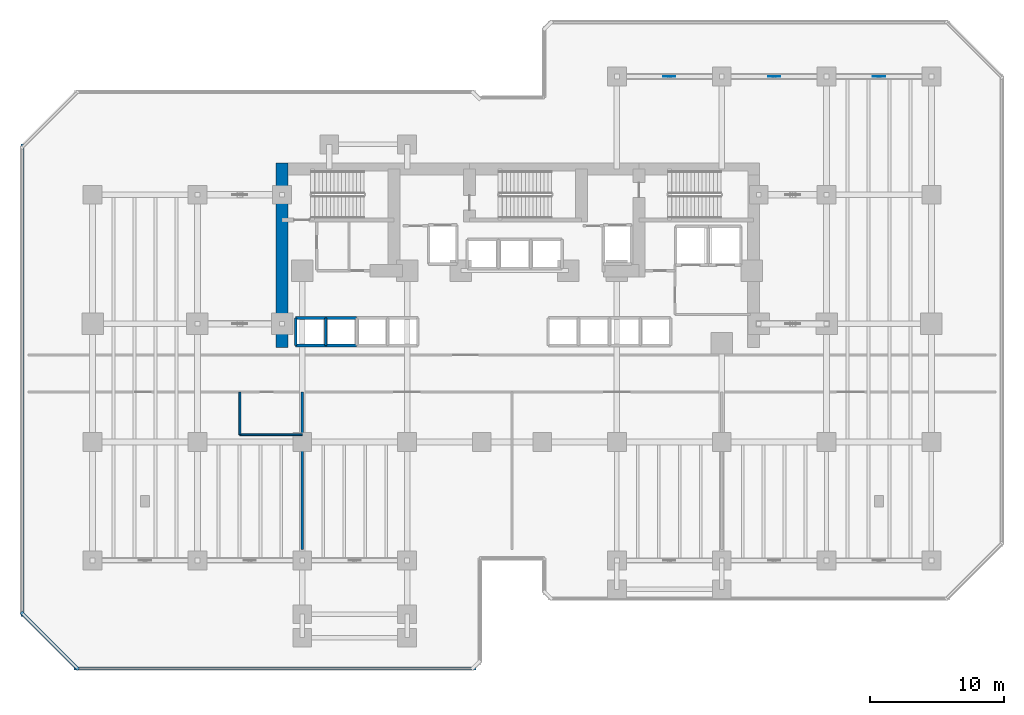
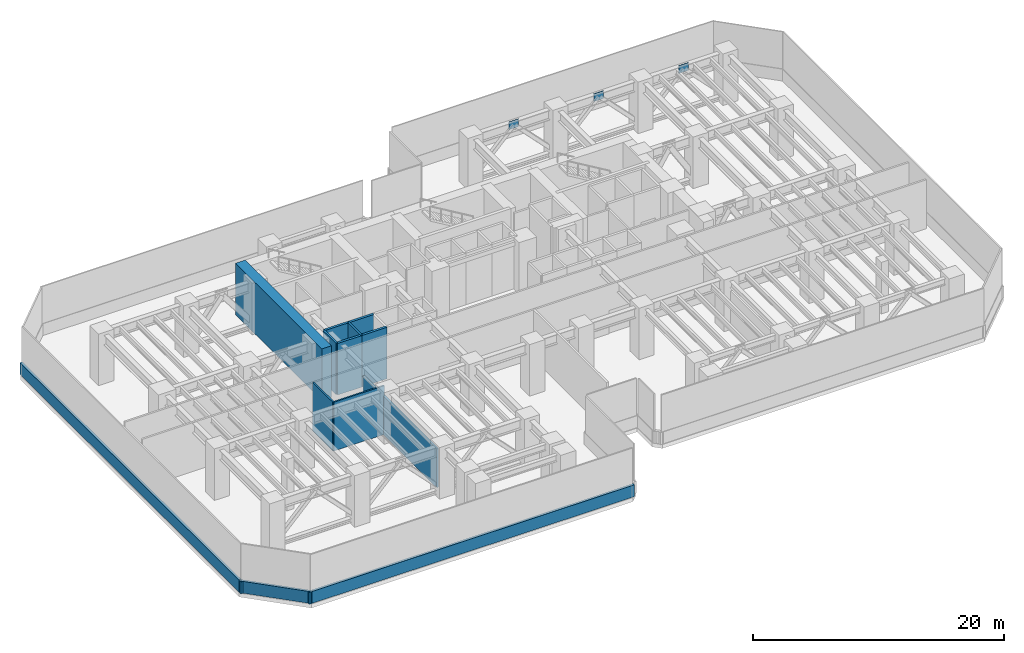
# One storey, part 5 of 13: 13 walls, 3 plates.
"""IFC4 building model written with IfcOpenShell, lengths in metres."""

from ifc_helpers import new_model, si_unit, direction, frame, frame_2d, origin, origin_2d, place, context, subcontext, project, spatial, rectangle, extrude, material, layer, layer_set, type_object, element, save


model = new_model("IFC4")

# Units and contexts
model_context = context("Model", 3, precision=1e-05, world=origin(), true_north=direction((0.0, 1.0)))
body_context = subcontext(model_context, "Body", "Model", "MODEL_VIEW")
ifc_project = project(units=[si_unit("LENGTHUNIT", "METRE"), si_unit("AREAUNIT", "SQUARE_METRE"), si_unit("VOLUMEUNIT", "CUBIC_METRE"), si_unit("PLANEANGLEUNIT", "RADIAN"), si_unit("MASSUNIT", "GRAM", prefix="KILO")], contexts=[model_context])

# Site, building, storey
site_placement = place(None, origin())
site = spatial("IfcSite", under=ifc_project, at=site_placement, CompositionType="ELEMENT")
building_placement = place(site_placement, origin())
building = spatial("IfcBuilding", under=site, at=building_placement, Name="Kestravale Grand Hotel", CompositionType="ELEMENT")
storey_placement = place(building_placement, frame((0.0, 0.0, 75.39990234375)))
storey = spatial("IfcBuildingStorey", under=building, at=storey_placement, Name="L18", CompositionType="ELEMENT", Elevation=75.39990234375)

# Plates
ifc_material_1 = material(Name="Steel ASTM A572 Grade 50", Category="steel")
ifc_layer_1 = layer(ifc_material_1, 0.044921875)
ifc_layer_set_1 = layer_set([ifc_layer_1], Name="PL-GUS-45")
plate_type = type_object("IfcPlateType", Name="PL-GUS-45", PredefinedType="USERDEFINED", material=ifc_layer_set_1)
for number, where, z_axis, x_axis, name in (
    (1, (50.699951171875, 47.199951171875, 3.985107421875), (0.0, 0.0, 1.0), (1.0, 0.0, 0.0), "L18 belt truss gusset G:8-9"),
    (2, (58.5, 47.199951171875, 3.985107421875), (0.0, 0.0, 1.0), (1.0, 0.0, 0.0), "L18 belt truss gusset G:9-10"),
    (3, (66.300048828125, 47.199951171875, 3.985107421875), (0.0, 0.0, 1.0), (1.0, 0.0, 0.0), "L18 belt truss gusset G:10-11"),
):
    element("IfcPlate", number, at=place(storey_placement, frame(where, z_axis=z_axis, x_axis=x_axis)), inside=storey, type_object=plate_type, Name=name, ObjectType="GUSSET PLATE", PredefinedType="USERDEFINED", context=body_context, shape_type="SweptSolid", body=[
        extrude(rectangle(XDim=0.89990234375, YDim=0.044921875, at=origin_2d()), origin(), (0.0, 0.0, 1.0), 0.75),
    ])

# Walls
ifc_material_2 = material(Name="Concrete f'c 70 MPa", Category="concrete")
ifc_layer_2 = layer(ifc_material_2, 0.89990234375)
ifc_layer_set_2 = layer_set([ifc_layer_2], Name="EW-CORE-900")
wall_type_1 = type_object("IfcWallType", Name="EW-CORE-900", PredefinedType="SHEAR", material=ifc_layer_set_2)
wall_1_placement = place(storey_placement, frame((21.89990234375, 27.050048828125, 0.0), z_axis=(0.0, 0.0, 1.0), x_axis=(0.0, 1.0, 0.0)))
element("IfcWall", 4, at=wall_1_placement, inside=storey, type_object=wall_type_1, Name="L18 core shear wall W1", PredefinedType="SHEAR", context=body_context, shape_type="SweptSolid", body=[
    extrude(rectangle(XDim=13.719970703125, YDim=0.89990234375, at=frame_2d((6.85986328125, 0.0))), origin(), (0.0, 0.0, 1.0), 5.0),
])
ifc_material_3 = material(Name="Precast concrete f'c 45 MPa", Category="concrete")
ifc_layer_3 = layer(ifc_material_3, 0.219970703125)
ifc_layer_set_3 = layer_set([ifc_layer_3], Name="EW-PAR-220")
wall_type_2 = type_object("IfcWallType", Name="EW-PAR-220", PredefinedType="PARAPET", material=ifc_layer_set_3)
wall_2_placement = place(storey_placement, frame((6.429931640625, 3.169921875, 0.0), z_axis=(0.0, 0.0, 1.0), x_axis=(1.0, 0.0, 0.0)))
element("IfcWall", 5, at=wall_2_placement, inside=storey, type_object=wall_type_2, Name="L18 refuge band parapet wall 1", PredefinedType="PARAPET", context=body_context, shape_type="SweptSolid", body=[
    extrude(rectangle(XDim=29.89013671875, YDim=0.219970703125, at=frame_2d((14.945068359375, 0.0))), origin(), (0.0, 0.0, 1.0), 1.150146484375),
])
wall_3_placement = place(storey_placement, frame((2.570068359375, 42.169921875, 0.0), z_axis=(0.0, 0.0, 1.0), x_axis=(0.0, -1.0, 0.0)))
element("IfcWall", 6, at=wall_3_placement, inside=storey, type_object=wall_type_2, Name="L18 refuge band parapet wall 19", PredefinedType="PARAPET", context=body_context, shape_type="SweptSolid", body=[
    extrude(rectangle(XDim=35.139892578125, YDim=0.219970703125, at=frame_2d((17.56982421875, 0.0))), origin(), (0.0, 0.0, 1.0), 1.150146484375),
])
wall_4_placement = place(storey_placement, frame((2.491943359375, 7.348388671875, 0.0), z_axis=(0.0, 0.0, 1.0), x_axis=(0.707106781187, -0.707106781187, 0.0)))
element("IfcWall", 7, at=wall_4_placement, inside=storey, type_object=wall_type_2, Name="L18 refuge band parapet wall 20", PredefinedType="PARAPET", context=body_context, shape_type="SweptSolid", body=[
    extrude(rectangle(XDim=6.019775390625, YDim=0.219970703125, at=frame_2d((3.009765625, 0.0))), origin(), (0.0, 0.0, 1.0), 1.150146484375),
])
ifc_material_4 = material(Name="Fire-rated gypsum board on steel studs with mineral wool", Category="steel")
ifc_layer_4 = layer(ifc_material_4, 0.179931640625)
ifc_layer_set_4 = layer_set([ifc_layer_4], Name="IW-FSAE-180")
wall_type_3 = type_object("IfcWallType", Name="IW-FSAE-180", PredefinedType="PARTITIONING", material=ifc_layer_set_4)
wall_5_placement = place(storey_placement, frame((23.39990234375, 12.0, 0.0), z_axis=(0.0, 0.0, 1.0), x_axis=(0.0, 1.0, 0.0)))
element("IfcWall", 8, at=wall_5_placement, inside=storey, type_object=wall_type_3, Name="W-L18-SP-1", PredefinedType="PARTITIONING", context=body_context, shape_type="SweptSolid", body=[
    extrude(rectangle(XDim=11.719970703125, YDim=0.179931640625, at=frame_2d((5.85986328125, 0.0))), origin(), (0.0, 0.0, 1.0), 3.76318359375),
])
ifc_material_5 = material(Name="Moisture-resistant tile-backer plumbing chase wall", Category="other")
ifc_layer_5 = layer(ifc_material_5, 0.139892578125)
ifc_layer_set_5 = layer_set([ifc_layer_5], Name="IW-PLB-140")
wall_type_4 = type_object("IfcWallType", Name="IW-PLB-140", PredefinedType="PLUMBINGWALL", material=ifc_layer_set_5)
wall_6_placement = place(storey_placement, frame((18.760009765625, 20.550048828125, 0.0), z_axis=(0.0, 0.0, 1.0), x_axis=(0.0, 1.0, 0.0)))
element("IfcWall", 9, at=wall_6_placement, inside=storey, type_object=wall_type_4, Name="W-L18-RWC-W", PredefinedType="PLUMBINGWALL", context=body_context, shape_type="SweptSolid", body=[
    extrude(rectangle(XDim=3.169921875, YDim=0.139892578125, at=frame_2d((1.5849609375, 0.0))), origin(), (0.0, 0.0, 1.0), 4.739990234375),
])
wall_7_placement = place(storey_placement, frame((18.760009765625, 20.550048828125, 0.0), z_axis=(0.0, 0.0, 1.0), x_axis=(1.0, 0.0, 0.0)))
element("IfcWall", 10, at=wall_7_placement, inside=storey, type_object=wall_type_4, Name="W-L18-RWC-S", PredefinedType="PLUMBINGWALL", context=body_context, shape_type="SweptSolid", body=[
    extrude(rectangle(XDim=4.639892578125, YDim=0.139892578125, at=frame_2d((2.31982421875, 0.0))), origin(), (0.0, 0.0, 1.0), 4.739990234375),
])
ifc_material_6 = material(Name="Concrete f'c 45 MPa", Category="concrete")
ifc_layer_6 = layer(ifc_material_6, 0.199951171875)
ifc_layer_set_6 = layer_set([ifc_layer_6], Name="IW-SHAFT-200")
wall_type_5 = type_object("IfcWallType", Name="IW-SHAFT-200", PredefinedType="SHEAR", material=ifc_layer_set_6)
for number, where, z_axis, x_axis, name in (
    (11, (22.905029296875, 27.169921875, 0.0), (0.0, 0.0, 1.0), (0.0, 1.0, 0.0), "L18 PL-L1 west shaft wall"),
    (12, (25.14990234375, 27.169921875, 0.0), (0.0, 0.0, 1.0), (0.0, 1.0, 0.0), "L18 PL-L2 west shaft wall"),
):
    element("IfcWall", number, at=place(storey_placement, frame(where, z_axis=z_axis, x_axis=x_axis)), inside=storey, type_object=wall_type_5, Name=name, PredefinedType="SHEAR", context=body_context, shape_type="SweptSolid", body=[
        extrude(rectangle(XDim=2.06005859375, YDim=0.199951171875, at=frame_2d((1.030029296875, 0.0))), origin(), (0.0, 0.0, 1.0), 5.0),
    ])
ifc_material_7 = material(Name="Concrete f'c 45 MPa", Category="concrete")
ifc_layer_7 = layer(ifc_material_7, 0.219970703125)
ifc_layer_set_7 = layer_set([ifc_layer_7], Name="IW-SHAFT-220")
wall_type_6 = type_object("IfcWallType", Name="IW-SHAFT-220", PredefinedType="SHEAR", material=ifc_layer_set_7)
for number, where, z_axis, x_axis, name in (
    (13, (22.905029296875, 29.22998046875, 0.0), (0.0, 0.0, 1.0), (1.0, 0.0, 0.0), "L18 PL-L1 north shaft wall"),
    (14, (22.905029296875, 27.169921875, 0.0), (0.0, 0.0, 1.0), (1.0, 0.0, 0.0), "L18 PL-L1 south shaft wall"),
):
    element("IfcWall", number, at=place(storey_placement, frame(where, z_axis=z_axis, x_axis=x_axis)), inside=storey, type_object=wall_type_6, Name=name, PredefinedType="SHEAR", context=body_context, shape_type="SweptSolid", body=[
        extrude(rectangle(XDim=2.244873046875, YDim=0.219970703125, at=frame_2d((1.12255859375, 0.0))), origin(), (0.0, 0.0, 1.0), 5.0),
    ])
for number, where, z_axis, x_axis, name in (
    (15, (25.14990234375, 29.22998046875, 0.0), (0.0, 0.0, 1.0), (1.0, 0.0, 0.0), "L18 PL-L2 north shaft wall"),
    (16, (25.14990234375, 27.169921875, 0.0), (0.0, 0.0, 1.0), (1.0, 0.0, 0.0), "L18 PL-L2 south shaft wall"),
):
    element("IfcWall", number, at=place(storey_placement, frame(where, z_axis=z_axis, x_axis=x_axis)), inside=storey, type_object=wall_type_6, Name=name, PredefinedType="SHEAR", context=body_context, shape_type="SweptSolid", body=[
        extrude(rectangle(XDim=2.300048828125, YDim=0.219970703125, at=frame_2d((1.14990234375, 0.0))), origin(), (0.0, 0.0, 1.0), 5.0),
    ])

save(model, "model.ifc")
